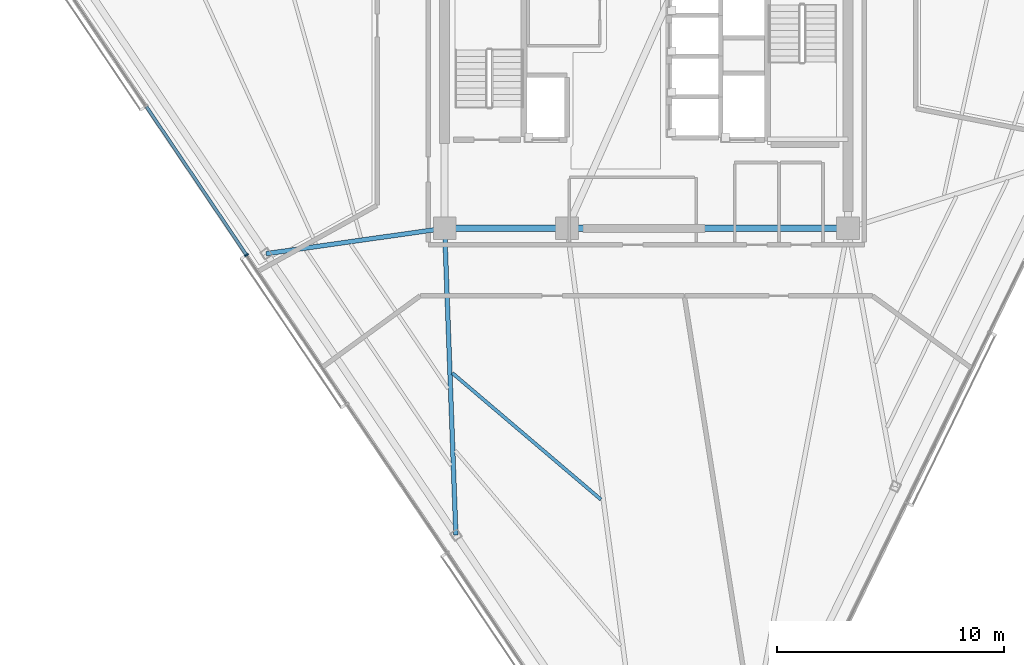
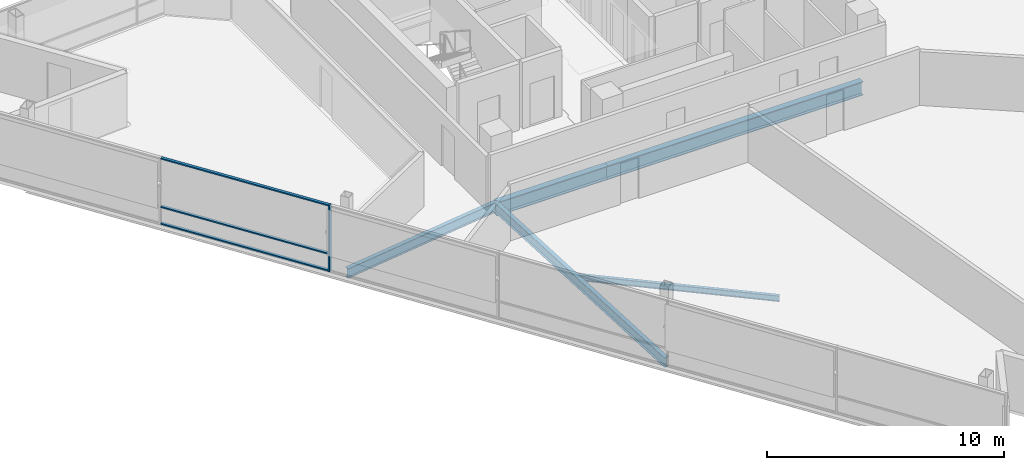
# One storey, part 3 of 15: 5 beams, 4 members, 1 element without a shape of its own.
"""IFC4 building model written with IfcOpenShell, lengths in metres."""

from ifc_helpers import new_model, si_unit, direction, frame, origin, origin_2d, place, context, subcontext, project, spatial, rectangle, i_section, extrude, material, layer, layer_set, material_profile, profile_set, type_object, element, aggregate, save


model = new_model("IFC4")

# Units and contexts
model_context = context("Model", 3, precision=1e-05, world=origin(), true_north=direction((0.0, 1.0)))
body_context = subcontext(model_context, "Body", "Model", "MODEL_VIEW")
ifc_project = project(units=[si_unit("LENGTHUNIT", "METRE"), si_unit("AREAUNIT", "SQUARE_METRE"), si_unit("VOLUMEUNIT", "CUBIC_METRE"), si_unit("PLANEANGLEUNIT", "RADIAN"), si_unit("MASSUNIT", "GRAM", prefix="KILO")], contexts=[model_context])

# Site, building, storey
site_placement = place(None, origin())
site = spatial("IfcSite", under=ifc_project, at=site_placement, CompositionType="ELEMENT")
building_placement = place(site_placement, origin())
building = spatial("IfcBuilding", under=site, at=building_placement, Name="Tharavind Bronze Gate", CompositionType="ELEMENT")
storey_placement = place(building_placement, frame((0.0, 0.0, 267.800048828125)))
storey = spatial("IfcBuildingStorey", under=building, at=storey_placement, Name="L69", CompositionType="ELEMENT", Elevation=267.800048828125)

# Curtain wall, members
ifc_material_1 = material(Name="Anodised Bronze Aluminium", Category="aluminium")
ifc_layer = layer(ifc_material_1, 0.219970703125)
ifc_layer_set = layer_set([ifc_layer], Name="Anodised Bronze Aluminium")
curtain_wall_type = type_object("IfcCurtainWallType", Name="UNITISED CURTAIN WALL UPPER OFFICE", PredefinedType="USERDEFINED", material=ifc_layer_set)
curtain_wall_placement = place(storey_placement, origin())
curtain_wall = element("IfcCurtainWall", 1, at=curtain_wall_placement, inside=storey, type_object=curtain_wall_type, Name="L69 unitised curtain wall upper office CW-L69-S1", ObjectType="UNITISED CURTAIN WALL", PredefinedType="USERDEFINED")
member_type_1 = type_object("IfcMemberType", Name="CURTAIN WALL BRONZE MULLION 65X180", PredefinedType="MULLION", material=ifc_material_1)
member_1_placement = place(storey_placement, frame((-17.639892578125, -8.7802734375, 0.0), z_axis=(0.0, 0.0, 1.0), x_axis=(0.559191456526, -0.82903854853, 0.0)))
member_1 = element("IfcMember", 2, at=member_1_placement, type_object=member_type_1, Name="CW-L69-S1 mullion 3", PredefinedType="MULLION", context=body_context, shape_type="SweptSolid", body=[
    extrude(rectangle(XDim=0.06494140625, YDim=0.179931640625, at=origin_2d()), origin(), (0.0, 0.0, 1.0), 3.419921875),
])
member_type_2 = type_object("IfcMemberType", Name="CURTAIN WALL BRONZE TRANSOM 65X140", PredefinedType="USERDEFINED", material=ifc_material_1)
member_2_placement = place(storey_placement, frame((-19.8544921875, -5.497314453125, 0.0), z_axis=(0.0, 0.0, 1.0), x_axis=(0.559191456526, -0.82903854853, 0.0)))
member_2 = element("IfcMember", 3, at=member_2_placement, type_object=member_type_2, Name="CW-L69-S1 transom TB2", ObjectType="TRANSOM", PredefinedType="USERDEFINED", context=body_context, shape_type="SweptSolid", body=[
    extrude(rectangle(XDim=7.8671875, YDim=0.139892578125, at=origin_2d()), origin(), (0.0, 0.0, 1.0), 0.06494140625),
])
member_3_placement = place(storey_placement, frame((-19.8544921875, -5.497314453125, 0.867431640625), z_axis=(0.0, 0.0, 1.0), x_axis=(0.559191456526, -0.82903854853, 0.0)))
member_3 = element("IfcMember", 4, at=member_3_placement, type_object=member_type_2, Name="CW-L69-S1 transom TS2", ObjectType="TRANSOM", PredefinedType="USERDEFINED", context=body_context, shape_type="SweptSolid", body=[
    extrude(rectangle(XDim=7.8671875, YDim=0.139892578125, at=origin_2d()), origin(), (0.0, 0.0, 1.0), 0.06494140625),
])
member_4_placement = place(storey_placement, frame((-19.8544921875, -5.497314453125, 3.35498046875), z_axis=(0.0, 0.0, 1.0), x_axis=(0.559191456526, -0.82903854853, 0.0)))
member_4 = element("IfcMember", 5, at=member_4_placement, type_object=member_type_2, Name="CW-L69-S1 transom TT2", ObjectType="TRANSOM", PredefinedType="USERDEFINED", context=body_context, shape_type="SweptSolid", body=[
    extrude(rectangle(XDim=7.8671875, YDim=0.139892578125, at=origin_2d()), origin(), (0.0, 0.0, 1.0), 0.06494140625),
])
aggregate(curtain_wall, [member_1, member_2, member_3, member_4])

# Beams
ifc_material_2 = material(Name="Steel S355", Category="steel")
ifc_material_profile_1 = material_profile(ifc_material_2, i_section(OverallWidth=0.199951171875, OverallDepth=0.5, WebThickness=0.01025390625, FlangeThickness=0.01611328125, at=origin_2d()), Name="IPE500")
ifc_profile_set_1 = profile_set([ifc_material_profile_1], Name="Steel S355")
beam_type_1 = type_object("IfcBeamType", Name="PRIMARY GIRDER IPE500", PredefinedType="USERDEFINED", material=ifc_profile_set_1)
beam_1_placement = place(storey_placement, frame((-16.776123046875, -8.719970703125, -0.429931640625), z_axis=(0.99004257138, 0.14076827361, 0.0), x_axis=(-0.14076827361, 0.99004257138, 0.0)))
element("IfcBeam", 6, at=beam_1_placement, inside=storey, type_object=beam_type_1, Name="L69 primary girder ipe500 BM-L69-RAD02", ObjectType="GIRDER", PredefinedType="USERDEFINED", context=body_context, shape_type="SweptSolid", body=[
    extrude(i_section(OverallWidth=0.199951171875, OverallDepth=0.5, WebThickness=0.01025390625, FlangeThickness=0.01611328125, at=origin_2d()), origin(), (0.0, 0.0, 1.0), 7.955322265625),
])
beam_2_placement = place(storey_placement, frame((-8.40234375, -21.134521484375, -0.429931640625), z_axis=(-0.036737634404, 0.99932494526, 0.0), x_axis=(-0.99932494526, -0.036737634404, 0.0)))
element("IfcBeam", 7, at=beam_2_placement, inside=storey, type_object=beam_type_1, Name="L69 primary girder ipe500 BM-L69-RAD03", ObjectType="GIRDER", PredefinedType="USERDEFINED", context=body_context, shape_type="SweptSolid", body=[
    extrude(i_section(OverallWidth=0.199951171875, OverallDepth=0.5, WebThickness=0.01025390625, FlangeThickness=0.01611328125, at=origin_2d()), origin(), (0.0, 0.0, 1.0), 13.54345703125),
])
ifc_material_profile_2 = material_profile(ifc_material_2, i_section(OverallWidth=0.300048828125, OverallDepth=0.699951171875, WebThickness=0.01708984375, FlangeThickness=0.031982421875, at=origin_2d()), Name="HE700B")
ifc_profile_set_2 = profile_set([ifc_material_profile_2], Name="Steel S355")
beam_type_2 = type_object("IfcBeamType", Name="RING GIRDER HE700B", PredefinedType="USERDEFINED", material=ifc_profile_set_2)
beam_3_placement = place(storey_placement, frame((-8.89990234375, -7.60009765625, -0.530029296875), z_axis=(1.0, 0.0, 0.0), x_axis=(0.0, 1.0, 0.0)))
element("IfcBeam", 8, at=beam_3_placement, inside=storey, type_object=beam_type_2, Name="L69 ring girder he700b BM-L69-CR1", ObjectType="GIRDER", PredefinedType="USERDEFINED", context=body_context, shape_type="SweptSolid", body=[
    extrude(i_section(OverallWidth=0.300048828125, OverallDepth=0.699951171875, WebThickness=0.01708984375, FlangeThickness=0.031982421875, at=origin_2d()), origin(), (0.0, 0.0, 1.0), 5.39990234375),
])
beam_4_placement = place(storey_placement, frame((-3.5, -7.60009765625, -0.530029296875), z_axis=(1.0, 0.0, 0.0), x_axis=(0.0, 1.0, 0.0)))
element("IfcBeam", 9, at=beam_4_placement, inside=storey, type_object=beam_type_2, Name="L69 ring girder he700b BM-L69-CR2", ObjectType="GIRDER", PredefinedType="USERDEFINED", context=body_context, shape_type="SweptSolid", body=[
    extrude(i_section(OverallWidth=0.300048828125, OverallDepth=0.699951171875, WebThickness=0.01708984375, FlangeThickness=0.031982421875, at=origin_2d()), origin(), (0.0, 0.0, 1.0), 12.39990234375),
])
ifc_material_profile_3 = material_profile(ifc_material_2, i_section(OverallWidth=0.14990234375, OverallDepth=0.300048828125, WebThickness=0.007080078125, FlangeThickness=0.0107421875, at=origin_2d()), Name="IPE300")
ifc_profile_set_3 = profile_set([ifc_material_profile_3], Name="Steel S355")
beam_type_3 = type_object("IfcBeamType", Name="SECONDARY FLOOR JOIST IPE300", PredefinedType="JOIST", material=ifc_profile_set_3)
beam_5_placement = place(storey_placement, frame((-8.562255859375, -13.98388671875, -0.330078125), z_axis=(0.761516768495, -0.648145208499, 0.0), x_axis=(0.648145208499, 0.761516768495, 0.0)))
element("IfcBeam", 10, at=beam_5_placement, inside=storey, type_object=beam_type_3, Name="L69 secondary floor joist ipe300 BM-L69-JSTA03", PredefinedType="JOIST", context=body_context, shape_type="SweptSolid", body=[
    extrude(i_section(OverallWidth=0.14990234375, OverallDepth=0.300048828125, WebThickness=0.007080078125, FlangeThickness=0.0107421875, at=origin_2d()), origin(), (0.0, 0.0, 1.0), 8.61376953125),
])

save(model, "model.ifc")
